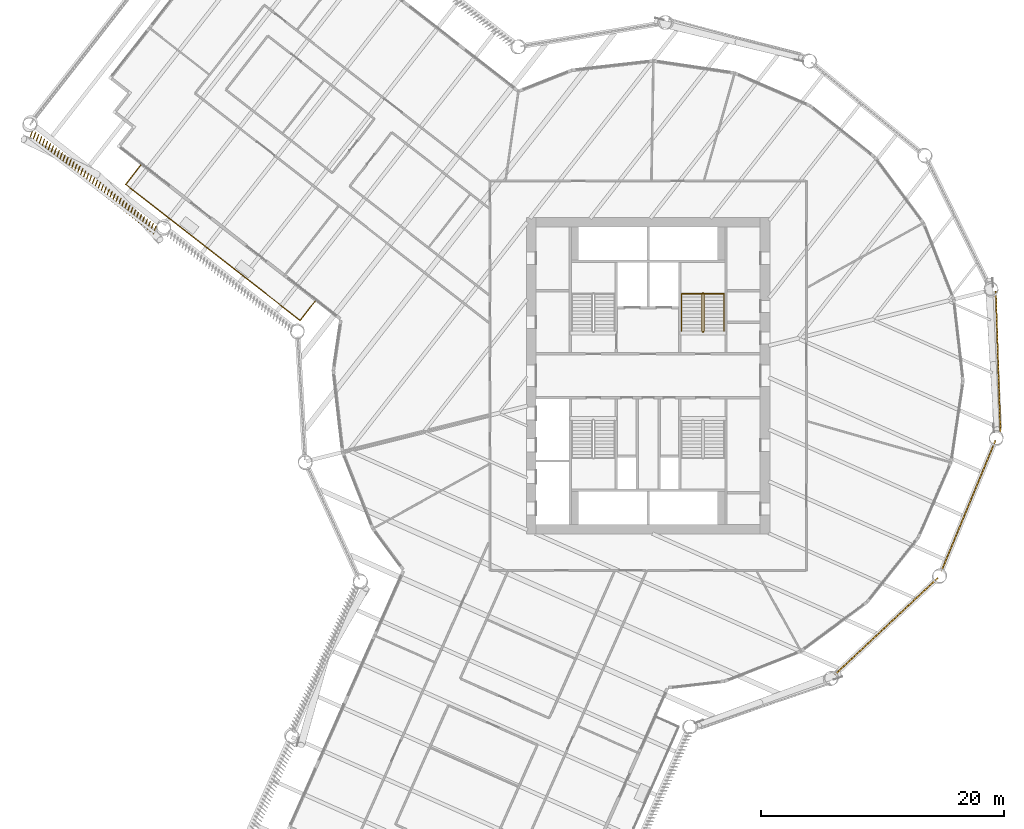
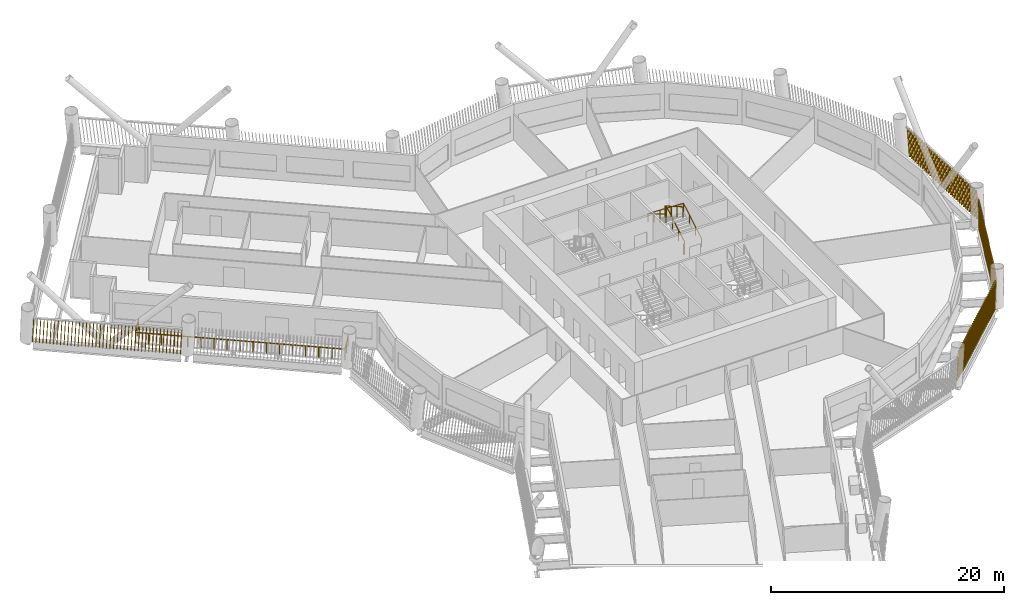
# One storey, part 19 of 22: 4 shading devices, 3 railings.
"""IFC4 building model written with IfcOpenShell, lengths in metres."""

from ifc_helpers import new_model, si_unit, direction, frame, frame_2d, origin, origin_2d, place, context, subcontext, project, spatial, rectangle, circle, composite_profile, extrude, material, type_object, element, save


model = new_model("IFC4")

# Units and contexts
model_context = context("Model", 3, precision=1e-05, world=origin(), true_north=direction((0.0, 1.0)))
body_context = subcontext(model_context, "Body", "Model", "MODEL_VIEW")
ifc_project = project(units=[si_unit("LENGTHUNIT", "METRE"), si_unit("AREAUNIT", "SQUARE_METRE"), si_unit("VOLUMEUNIT", "CUBIC_METRE"), si_unit("PLANEANGLEUNIT", "RADIAN"), si_unit("MASSUNIT", "GRAM", prefix="KILO")], contexts=[model_context])

# Site, building, storey
site_placement = place(None, origin())
site = spatial("IfcSite", under=ifc_project, at=site_placement, CompositionType="ELEMENT")
building_placement = place(site_placement, origin())
building = spatial("IfcBuilding", under=site, at=building_placement, Name="Tarsis Ring Headquarters", CompositionType="ELEMENT")
storey_placement = place(building_placement, frame((0.0, 0.0, 116.199951171875)))
storey = spatial("IfcBuildingStorey", under=building, at=storey_placement, Name="L26", CompositionType="ELEMENT", Elevation=116.199951171875)

# Railings
ifc_material_1 = material(Name="Stainless steel guard", Category="steel")
railing_type_1 = type_object("IfcRailingType", Name="Balcony balustrade with mesh infill 1100", PredefinedType="BALUSTRADE", material=ifc_material_1)
railing_1_placement = place(storey_placement, frame((-41.678466796875, 17.296142578125, 0.0)))
element("IfcRailing", 1, at=railing_1_placement, inside=storey, type_object=railing_type_1, Name="Balcony balustrade L26-01", PredefinedType="BALUSTRADE", context=body_context, shape_type="SweptSolid", body=[
    extrude(circle(Radius=0.030029296875, at=origin_2d()), frame((0.0, 0.0, 1.070068359375), z_axis=(-0.6151061728, -0.788444288573, 0.0), x_axis=(0.788444288573, -0.6151061728, 0.0)), (0.0, 0.0, 1.0), 2.0),
    extrude(circle(Radius=0.030029296875, at=origin_2d()), frame((-1.230224609375, -1.576904296875, 1.070068359375), z_axis=(0.788432586668, -0.61512117203, 0.0), x_axis=(0.61512117203, 0.788432586668, 0.0)), (0.0, 0.0, 1.0), 18.171875),
    extrude(circle(Radius=0.030029296875, at=origin_2d()), frame((13.09716796875, -12.7548828125, 1.070068359375), z_axis=(0.6151061728, 0.788444288573, 0.0), x_axis=(-0.788444288573, 0.6151061728, 0.0)), (0.0, 0.0, 1.0), 2.0),
    extrude(circle(Radius=0.02490234375, at=origin_2d()), origin(), (0.0, 0.0, 1.0), 1.0400390625),
    extrude(circle(Radius=0.02490234375, at=origin_2d()), frame((-0.615234375, -0.78857421875, 0.0)), (0.0, 0.0, 1.0), 1.0400390625),
    extrude(circle(Radius=0.02490234375, at=origin_2d()), frame((-1.230224609375, -1.576904296875, 0.0)), (0.0, 0.0, 1.0), 1.0400390625),
    extrude(circle(Radius=0.02490234375, at=origin_2d()), frame((-0.334716796875, -2.275634765625, 0.0)), (0.0, 0.0, 1.0), 1.0400390625),
    extrude(circle(Radius=0.02490234375, at=origin_2d()), frame((0.560791015625, -2.97412109375, 0.0)), (0.0, 0.0, 1.0), 1.0400390625),
    extrude(circle(Radius=0.02490234375, at=origin_2d()), frame((1.4560546875, -3.6728515625, 0.0)), (0.0, 0.0, 1.0), 1.0400390625),
    extrude(circle(Radius=0.02490234375, at=origin_2d()), frame((2.3515625, -4.371337890625, 0.0)), (0.0, 0.0, 1.0), 1.0400390625),
    extrude(circle(Radius=0.02490234375, at=origin_2d()), frame((3.2470703125, -5.070068359375, 0.0)), (0.0, 0.0, 1.0), 1.0400390625),
    extrude(circle(Radius=0.02490234375, at=origin_2d()), frame((4.142578125, -5.7685546875, 0.0)), (0.0, 0.0, 1.0), 1.0400390625),
    extrude(circle(Radius=0.02490234375, at=origin_2d()), frame((5.0380859375, -6.46728515625, 0.0)), (0.0, 0.0, 1.0), 1.0400390625),
    extrude(circle(Radius=0.02490234375, at=origin_2d()), frame((5.93359375, -7.166015625, 0.0)), (0.0, 0.0, 1.0), 1.0400390625),
    extrude(circle(Radius=0.02490234375, at=origin_2d()), frame((6.828857421875, -7.864501953125, 0.0)), (0.0, 0.0, 1.0), 1.0400390625),
    extrude(circle(Radius=0.02490234375, at=origin_2d()), frame((7.724365234375, -8.563232421875, 0.0)), (0.0, 0.0, 1.0), 1.0400390625),
    extrude(circle(Radius=0.02490234375, at=origin_2d()), frame((8.619873046875, -9.26171875, 0.0)), (0.0, 0.0, 1.0), 1.0400390625),
    extrude(circle(Radius=0.02490234375, at=origin_2d()), frame((9.515380859375, -9.96044921875, 0.0)), (0.0, 0.0, 1.0), 1.0400390625),
    extrude(circle(Radius=0.02490234375, at=origin_2d()), frame((10.410888671875, -10.658935546875, 0.0)), (0.0, 0.0, 1.0), 1.0400390625),
    extrude(circle(Radius=0.02490234375, at=origin_2d()), frame((11.30615234375, -11.357666015625, 0.0)), (0.0, 0.0, 1.0), 1.0400390625),
    extrude(circle(Radius=0.02490234375, at=origin_2d()), frame((12.20166015625, -12.05615234375, 0.0)), (0.0, 0.0, 1.0), 1.0400390625),
    extrude(circle(Radius=0.02490234375, at=origin_2d()), frame((13.09716796875, -12.7548828125, 0.0)), (0.0, 0.0, 1.0), 1.0400390625),
    extrude(circle(Radius=0.02490234375, at=origin_2d()), frame((13.71240234375, -11.96630859375, 0.0)), (0.0, 0.0, 1.0), 1.0400390625),
    extrude(circle(Radius=0.02490234375, at=origin_2d()), frame((14.327392578125, -11.177978515625, 0.0)), (0.0, 0.0, 1.0), 1.0400390625),
])
ifc_material_2 = material(Name="Steel S355", Category="steel")
railing_type_2 = type_object("IfcRailingType", Name="Core stair guard 1100", PredefinedType="GUARDRAIL", material=ifc_material_2)
railing_2_placement = place(storey_placement, frame((4.4599609375, 3.610107421875, 0.0)))
element("IfcRailing", 2, at=railing_2_placement, inside=storey, type_object=railing_type_2, Name="L26 ST2 stair guard 1", PredefinedType="GUARDRAIL", context=body_context, shape_type="SweptSolid", body=[
    extrude(circle(Radius=0.02392578125, at=origin_2d()), frame((0.0, 0.0, 1.076171875), z_axis=(1.0, 0.0, 0.0), x_axis=(0.0, 1.0, 0.0)), (0.0, 0.0, 1.0), 0.080078125),
    extrude(circle(Radius=0.02392578125, at=origin_2d()), frame((0.080078125, 0.0, 1.076171875), z_axis=(0.282336740067, 0.280959487676, 0.917250092119), x_axis=(-0.705375805398, 0.708833529934, 0.0)), (0.0, 0.0, 1.0), 0.17724609375),
    extrude(circle(Radius=0.02392578125, at=origin_2d()), frame((0.130126953125, 0.0498046875, 1.23876953125), z_axis=(0.0, 0.864920483161, 0.501908913857), x_axis=(-1.0, 0.0, 0.0)), (0.0, 0.0, 1.0), 3.56103515625),
    extrude(circle(Radius=0.02392578125, at=origin_2d()), frame((0.130126953125, 3.1298828125, 3.02587890625), z_axis=(-0.707106781187, 0.707106781187, 0.0), x_axis=(-0.707106781187, -0.707106781187, 0.0)), (0.0, 0.0, 1.0), 0.07080078125),
    extrude(circle(Radius=0.02392578125, at=origin_2d()), frame((0.080078125, 3.179931640625, 3.02587890625), z_axis=(-1.0, 0.0, 0.0), x_axis=(0.0, -1.0, 0.0)), (0.0, 0.0, 1.0), 0.080078125),
    extrude(circle(Radius=0.02392578125, at=origin_2d()), frame((0.0, 3.179931640625, 3.02587890625), z_axis=(-0.282227285176, -0.282227285176, 0.916894497205), x_axis=(0.707106781187, -0.707106781187, 0.0)), (0.0, 0.0, 1.0), 0.17724609375),
    extrude(circle(Radius=0.02392578125, at=origin_2d()), frame((-0.050048828125, 3.1298828125, 3.1884765625), z_axis=(0.0, -0.864890721111, 0.501960198159), x_axis=(1.0, 0.0, 0.0)), (0.0, 0.0, 1.0), 3.561279296875),
    extrude(circle(Radius=0.02099609375, at=origin_2d()), origin(), (0.0, 0.0, 1.0), 1.052001953125),
    extrude(circle(Radius=0.02099609375, at=origin_2d()), frame((0.080078125, 0.0, 0.0)), (0.0, 0.0, 1.0), 1.052001953125),
    extrude(circle(Radius=0.02099609375, at=origin_2d()), frame((0.130126953125, 0.0498046875, 0.16259765625)), (0.0, 0.0, 1.0), 1.052001953125),
    extrude(circle(Radius=0.02099609375, at=origin_2d()), frame((0.130126953125, 1.076416015625, 0.75830078125)), (0.0, 0.0, 1.0), 1.052001953125),
    extrude(circle(Radius=0.02099609375, at=origin_2d()), frame((0.130126953125, 2.103271484375, 1.354248046875)), (0.0, 0.0, 1.0), 1.052001953125),
    extrude(circle(Radius=0.02099609375, at=origin_2d()), frame((0.130126953125, 3.1298828125, 1.949951171875)), (0.0, 0.0, 1.0), 1.052001953125),
    extrude(circle(Radius=0.02099609375, at=origin_2d()), frame((0.080078125, 3.179931640625, 1.949951171875)), (0.0, 0.0, 1.0), 1.052001953125),
    extrude(circle(Radius=0.02099609375, at=origin_2d()), frame((0.0, 3.179931640625, 1.949951171875)), (0.0, 0.0, 1.0), 1.052001953125),
    extrude(circle(Radius=0.02099609375, at=origin_2d()), frame((-0.050048828125, 3.1298828125, 2.112548828125)), (0.0, 0.0, 1.0), 1.052001953125),
    extrude(circle(Radius=0.02099609375, at=origin_2d()), frame((-0.050048828125, 2.103271484375, 2.70849609375)), (0.0, 0.0, 1.0), 1.052001953125),
    extrude(circle(Radius=0.02099609375, at=origin_2d()), frame((-0.050048828125, 1.076416015625, 3.30419921875)), (0.0, 0.0, 1.0), 1.052001953125),
    extrude(circle(Radius=0.02099609375, at=origin_2d()), frame((-0.050048828125, 0.0498046875, 3.900146484375)), (0.0, 0.0, 1.0), 1.052001953125),
])
railing_type_3 = type_object("IfcRailingType", Name="Core stair handrail 900", PredefinedType="HANDRAIL", material=ifc_material_2)
railing_3_placement = place(storey_placement, frame((6.25, 3.659912109375, 0.16259765625)))
element("IfcRailing", 3, at=railing_3_placement, inside=storey, type_object=railing_type_3, Name="L26 ST2 stair handrail 1", PredefinedType="HANDRAIL", context=body_context, shape_type="SweptSolid", body=[
    extrude(circle(Radius=0.02392578125, at=origin_2d()), frame((0.0, 0.0, 0.8759765625), z_axis=(0.0, 0.864920483161, 0.501908913857), x_axis=(-1.0, 0.0, 0.0)), (0.0, 0.0, 1.0), 3.56103515625),
    extrude(circle(Radius=0.02392578125, at=origin_2d()), frame((0.0, 3.080078125, 2.6630859375), z_axis=(-0.998922641604, 0.0, 0.046406422943), x_axis=(0.0, -1.0, 0.0)), (0.0, 0.0, 1.0), 3.503662109375),
    extrude(circle(Radius=0.02392578125, at=origin_2d()), frame((-3.5, 3.080078125, 2.82568359375), z_axis=(0.0, -0.864890721111, 0.501960198159), x_axis=(1.0, 0.0, 0.0)), (0.0, 0.0, 1.0), 3.561279296875),
    extrude(circle(Radius=0.02099609375, at=origin_2d()), origin(), (0.0, 0.0, 1.0), 0.851806640625),
    extrude(circle(Radius=0.02099609375, at=origin_2d()), frame((0.0, 1.026611328125, 0.595703125)), (0.0, 0.0, 1.0), 0.851806640625),
    extrude(circle(Radius=0.02099609375, at=origin_2d()), frame((0.0, 2.053466796875, 1.191650390625)), (0.0, 0.0, 1.0), 0.851806640625),
    extrude(circle(Radius=0.02099609375, at=origin_2d()), frame((0.0, 3.080078125, 1.787353515625)), (0.0, 0.0, 1.0), 0.851806640625),
    extrude(circle(Radius=0.02099609375, at=origin_2d()), frame((-1.166748046875, 3.080078125, 1.841552734375)), (0.0, 0.0, 1.0), 0.851806640625),
    extrude(circle(Radius=0.02099609375, at=origin_2d()), frame((-2.333251953125, 3.080078125, 1.895751953125)), (0.0, 0.0, 1.0), 0.851806640625),
    extrude(circle(Radius=0.02099609375, at=origin_2d()), frame((-3.5, 3.080078125, 1.949951171875)), (0.0, 0.0, 1.0), 0.851806640625),
    extrude(circle(Radius=0.02099609375, at=origin_2d()), frame((-3.5, 2.053466796875, 2.5458984375)), (0.0, 0.0, 1.0), 0.851806640625),
    extrude(circle(Radius=0.02099609375, at=origin_2d()), frame((-3.5, 1.026611328125, 3.1416015625)), (0.0, 0.0, 1.0), 0.851806640625),
    extrude(circle(Radius=0.02099609375, at=origin_2d()), frame((-3.5, 0.0, 3.737548828125)), (0.0, 0.0, 1.0), 0.851806640625),
])

# Shading devices
ifc_material_3 = material(Name="Terracotta baguette", Category="masonry")
shading_device_type = type_object("IfcShadingDeviceType", Name="Terracotta baguette screen", PredefinedType="USERDEFINED", material=ifc_material_3)
shading_device_1_placement = place(storey_placement, frame((15.3310546875, -24.553955078125, 0.0), z_axis=(0.0, 0.0, 1.0), x_axis=(0.729164858061, 0.684325896345, 0.0)))
element("IfcShadingDevice", 4, at=shading_device_1_placement, inside=storey, type_object=shading_device_type, Name="Baguette screen L26-08", ObjectType="Terracotta baguette screen", PredefinedType="USERDEFINED", context=body_context, shape_type="SweptSolid", body=[
    extrude(composite_profile([rectangle(XDim=0.06005859375, YDim=0.1201171875, at=frame_2d((0.030029296875, 0.0))), rectangle(XDim=0.06005859375, YDim=0.1201171875, at=frame_2d((0.33251953125, 0.0))), rectangle(XDim=0.06005859375, YDim=0.1201171875, at=frame_2d((0.634765625, 0.0))), rectangle(XDim=0.06005859375, YDim=0.1201171875, at=frame_2d((0.937255859375, 0.0))), rectangle(XDim=0.06005859375, YDim=0.1201171875, at=frame_2d((1.239501953125, 0.0))), rectangle(XDim=0.06005859375, YDim=0.1201171875, at=frame_2d((1.5419921875, 0.0))), rectangle(XDim=0.06005859375, YDim=0.1201171875, at=frame_2d((1.844482421875, 0.0))), rectangle(XDim=0.06005859375, YDim=0.1201171875, at=frame_2d((2.146728515625, 0.0))), rectangle(XDim=0.06005859375, YDim=0.1201171875, at=frame_2d((2.44921875, 0.0))), rectangle(XDim=0.06005859375, YDim=0.1201171875, at=frame_2d((2.751708984375, 0.0))), rectangle(XDim=0.06005859375, YDim=0.1201171875, at=frame_2d((3.053955078125, 0.0))), rectangle(XDim=0.06005859375, YDim=0.1201171875, at=frame_2d((3.3564453125, 0.0))), rectangle(XDim=0.06005859375, YDim=0.1201171875, at=frame_2d((3.65869140625, 0.0))), rectangle(XDim=0.06005859375, YDim=0.1201171875, at=frame_2d((3.961181640625, 0.0))), rectangle(XDim=0.06005859375, YDim=0.1201171875, at=frame_2d((4.263671875, 0.0))), rectangle(XDim=0.06005859375, YDim=0.1201171875, at=frame_2d((4.56591796875, 0.0))), rectangle(XDim=0.06005859375, YDim=0.1201171875, at=frame_2d((4.868408203125, 0.0))), rectangle(XDim=0.06005859375, YDim=0.1201171875, at=frame_2d((5.1708984375, 0.0))), rectangle(XDim=0.06005859375, YDim=0.1201171875, at=frame_2d((5.47314453125, 0.0))), rectangle(XDim=0.06005859375, YDim=0.1201171875, at=frame_2d((5.775634765625, 0.0))), rectangle(XDim=0.06005859375, YDim=0.1201171875, at=frame_2d((6.077880859375, 0.0))), rectangle(XDim=0.06005859375, YDim=0.1201171875, at=frame_2d((6.38037109375, 0.0))), rectangle(XDim=0.06005859375, YDim=0.1201171875, at=frame_2d((6.682861328125, 0.0))), rectangle(XDim=0.06005859375, YDim=0.1201171875, at=frame_2d((6.985107421875, 0.0))), rectangle(XDim=0.06005859375, YDim=0.1201171875, at=frame_2d((7.28759765625, 0.0))), rectangle(XDim=0.06005859375, YDim=0.1201171875, at=frame_2d((7.590087890625, 0.0))), rectangle(XDim=0.06005859375, YDim=0.1201171875, at=frame_2d((7.892333984375, 0.0))), rectangle(XDim=0.06005859375, YDim=0.1201171875, at=frame_2d((8.19482421875, 0.0))), rectangle(XDim=0.06005859375, YDim=0.1201171875, at=frame_2d((8.4970703125, 0.0))), rectangle(XDim=0.06005859375, YDim=0.1201171875, at=frame_2d((8.799560546875, 0.0))), rectangle(XDim=0.06005859375, YDim=0.1201171875, at=frame_2d((9.10205078125, 0.0))), rectangle(XDim=0.06005859375, YDim=0.1201171875, at=frame_2d((9.404296875, 0.0))), rectangle(XDim=0.06005859375, YDim=0.1201171875, at=frame_2d((9.706787109375, 0.0))), rectangle(XDim=0.06005859375, YDim=0.1201171875, at=frame_2d((10.00927734375, 0.0))), rectangle(XDim=0.06005859375, YDim=0.1201171875, at=frame_2d((10.3115234375, 0.0))), rectangle(XDim=0.06005859375, YDim=0.1201171875, at=frame_2d((10.614013671875, 0.0))), rectangle(XDim=0.06005859375, YDim=0.1201171875, at=frame_2d((10.916259765625, 0.0))), rectangle(XDim=0.06005859375, YDim=0.1201171875, at=frame_2d((11.21875, 0.0)))]), origin(), (0.129809101489, 0.000885387941, 0.991538609061), 2.977783203125),
])
shading_device_2_placement = place(storey_placement, frame((24.089111328125, -16.0517578125, 0.0), z_axis=(0.0, 0.0, 1.0), x_axis=(0.382268041237, 0.924058600109, 0.0)))
element("IfcShadingDevice", 5, at=shading_device_2_placement, inside=storey, type_object=shading_device_type, Name="Baguette screen L26-09", ObjectType="Terracotta baguette screen", PredefinedType="USERDEFINED", context=body_context, shape_type="SweptSolid", body=[
    extrude(composite_profile([rectangle(XDim=0.06005859375, YDim=0.1201171875, at=frame_2d((0.030029296875, 0.0))), rectangle(XDim=0.06005859375, YDim=0.1201171875, at=frame_2d((0.33251953125, 0.0))), rectangle(XDim=0.06005859375, YDim=0.1201171875, at=frame_2d((0.634765625, 0.0))), rectangle(XDim=0.06005859375, YDim=0.1201171875, at=frame_2d((0.937255859375, 0.0))), rectangle(XDim=0.06005859375, YDim=0.1201171875, at=frame_2d((1.239501953125, 0.0))), rectangle(XDim=0.06005859375, YDim=0.1201171875, at=frame_2d((1.5419921875, 0.0))), rectangle(XDim=0.06005859375, YDim=0.1201171875, at=frame_2d((1.844482421875, 0.0))), rectangle(XDim=0.06005859375, YDim=0.1201171875, at=frame_2d((2.146728515625, 0.0))), rectangle(XDim=0.06005859375, YDim=0.1201171875, at=frame_2d((2.44921875, 0.0))), rectangle(XDim=0.06005859375, YDim=0.1201171875, at=frame_2d((2.751708984375, 0.0))), rectangle(XDim=0.06005859375, YDim=0.1201171875, at=frame_2d((3.053955078125, 0.0))), rectangle(XDim=0.06005859375, YDim=0.1201171875, at=frame_2d((3.3564453125, 0.0))), rectangle(XDim=0.06005859375, YDim=0.1201171875, at=frame_2d((3.65869140625, 0.0))), rectangle(XDim=0.06005859375, YDim=0.1201171875, at=frame_2d((3.961181640625, 0.0))), rectangle(XDim=0.06005859375, YDim=0.1201171875, at=frame_2d((4.263671875, 0.0))), rectangle(XDim=0.06005859375, YDim=0.1201171875, at=frame_2d((4.56591796875, 0.0))), rectangle(XDim=0.06005859375, YDim=0.1201171875, at=frame_2d((4.868408203125, 0.0))), rectangle(XDim=0.06005859375, YDim=0.1201171875, at=frame_2d((5.1708984375, 0.0))), rectangle(XDim=0.06005859375, YDim=0.1201171875, at=frame_2d((5.47314453125, 0.0))), rectangle(XDim=0.06005859375, YDim=0.1201171875, at=frame_2d((5.775634765625, 0.0))), rectangle(XDim=0.06005859375, YDim=0.1201171875, at=frame_2d((6.077880859375, 0.0))), rectangle(XDim=0.06005859375, YDim=0.1201171875, at=frame_2d((6.38037109375, 0.0))), rectangle(XDim=0.06005859375, YDim=0.1201171875, at=frame_2d((6.682861328125, 0.0))), rectangle(XDim=0.06005859375, YDim=0.1201171875, at=frame_2d((6.985107421875, 0.0))), rectangle(XDim=0.06005859375, YDim=0.1201171875, at=frame_2d((7.28759765625, 0.0))), rectangle(XDim=0.06005859375, YDim=0.1201171875, at=frame_2d((7.590087890625, 0.0))), rectangle(XDim=0.06005859375, YDim=0.1201171875, at=frame_2d((7.892333984375, 0.0))), rectangle(XDim=0.06005859375, YDim=0.1201171875, at=frame_2d((8.19482421875, 0.0))), rectangle(XDim=0.06005859375, YDim=0.1201171875, at=frame_2d((8.4970703125, 0.0))), rectangle(XDim=0.06005859375, YDim=0.1201171875, at=frame_2d((8.799560546875, 0.0))), rectangle(XDim=0.06005859375, YDim=0.1201171875, at=frame_2d((9.10205078125, 0.0))), rectangle(XDim=0.06005859375, YDim=0.1201171875, at=frame_2d((9.404296875, 0.0))), rectangle(XDim=0.06005859375, YDim=0.1201171875, at=frame_2d((9.706787109375, 0.0))), rectangle(XDim=0.06005859375, YDim=0.1201171875, at=frame_2d((10.00927734375, 0.0))), rectangle(XDim=0.06005859375, YDim=0.1201171875, at=frame_2d((10.3115234375, 0.0))), rectangle(XDim=0.06005859375, YDim=0.1201171875, at=frame_2d((10.614013671875, 0.0))), rectangle(XDim=0.06005859375, YDim=0.1201171875, at=frame_2d((10.916259765625, 0.0))), rectangle(XDim=0.06005859375, YDim=0.1201171875, at=frame_2d((11.21875, 0.0)))]), origin(), (0.129810933495, 0.000884499402, 0.991538370012), 2.977783203125),
])
shading_device_3_placement = place(storey_placement, frame((28.938720703125, -4.68310546875, 0.0), z_axis=(0.0, 0.0, 1.0), x_axis=(-0.032620727075, 0.999457406403, 0.0)))
element("IfcShadingDevice", 6, at=shading_device_3_placement, inside=storey, type_object=shading_device_type, Name="Baguette screen L26-10", ObjectType="Terracotta baguette screen", PredefinedType="USERDEFINED", context=body_context, shape_type="SweptSolid", body=[
    extrude(composite_profile([rectangle(XDim=0.06005859375, YDim=0.1201171875, at=frame_2d((0.030029296875, 0.0))), rectangle(XDim=0.06005859375, YDim=0.1201171875, at=frame_2d((0.33251953125, 0.0))), rectangle(XDim=0.06005859375, YDim=0.1201171875, at=frame_2d((0.634765625, 0.0))), rectangle(XDim=0.06005859375, YDim=0.1201171875, at=frame_2d((0.937255859375, 0.0))), rectangle(XDim=0.06005859375, YDim=0.1201171875, at=frame_2d((1.239501953125, 0.0))), rectangle(XDim=0.06005859375, YDim=0.1201171875, at=frame_2d((1.5419921875, 0.0))), rectangle(XDim=0.06005859375, YDim=0.1201171875, at=frame_2d((1.844482421875, 0.0))), rectangle(XDim=0.06005859375, YDim=0.1201171875, at=frame_2d((2.146728515625, 0.0))), rectangle(XDim=0.06005859375, YDim=0.1201171875, at=frame_2d((2.44921875, 0.0))), rectangle(XDim=0.06005859375, YDim=0.1201171875, at=frame_2d((2.751708984375, 0.0))), rectangle(XDim=0.06005859375, YDim=0.1201171875, at=frame_2d((3.053955078125, 0.0))), rectangle(XDim=0.06005859375, YDim=0.1201171875, at=frame_2d((3.3564453125, 0.0))), rectangle(XDim=0.06005859375, YDim=0.1201171875, at=frame_2d((3.65869140625, 0.0))), rectangle(XDim=0.06005859375, YDim=0.1201171875, at=frame_2d((3.961181640625, 0.0))), rectangle(XDim=0.06005859375, YDim=0.1201171875, at=frame_2d((4.263671875, 0.0))), rectangle(XDim=0.06005859375, YDim=0.1201171875, at=frame_2d((4.56591796875, 0.0))), rectangle(XDim=0.06005859375, YDim=0.1201171875, at=frame_2d((4.868408203125, 0.0))), rectangle(XDim=0.06005859375, YDim=0.1201171875, at=frame_2d((5.1708984375, 0.0))), rectangle(XDim=0.06005859375, YDim=0.1201171875, at=frame_2d((5.47314453125, 0.0))), rectangle(XDim=0.06005859375, YDim=0.1201171875, at=frame_2d((5.775634765625, 0.0))), rectangle(XDim=0.06005859375, YDim=0.1201171875, at=frame_2d((6.077880859375, 0.0))), rectangle(XDim=0.06005859375, YDim=0.1201171875, at=frame_2d((6.38037109375, 0.0))), rectangle(XDim=0.06005859375, YDim=0.1201171875, at=frame_2d((6.682861328125, 0.0))), rectangle(XDim=0.06005859375, YDim=0.1201171875, at=frame_2d((6.985107421875, 0.0))), rectangle(XDim=0.06005859375, YDim=0.1201171875, at=frame_2d((7.28759765625, 0.0))), rectangle(XDim=0.06005859375, YDim=0.1201171875, at=frame_2d((7.590087890625, 0.0))), rectangle(XDim=0.06005859375, YDim=0.1201171875, at=frame_2d((7.892333984375, 0.0))), rectangle(XDim=0.06005859375, YDim=0.1201171875, at=frame_2d((8.19482421875, 0.0))), rectangle(XDim=0.06005859375, YDim=0.1201171875, at=frame_2d((8.4970703125, 0.0))), rectangle(XDim=0.06005859375, YDim=0.1201171875, at=frame_2d((8.799560546875, 0.0))), rectangle(XDim=0.06005859375, YDim=0.1201171875, at=frame_2d((9.10205078125, 0.0))), rectangle(XDim=0.06005859375, YDim=0.1201171875, at=frame_2d((9.404296875, 0.0))), rectangle(XDim=0.06005859375, YDim=0.1201171875, at=frame_2d((9.706787109375, 0.0))), rectangle(XDim=0.06005859375, YDim=0.1201171875, at=frame_2d((10.00927734375, 0.0))), rectangle(XDim=0.06005859375, YDim=0.1201171875, at=frame_2d((10.3115234375, 0.0))), rectangle(XDim=0.06005859375, YDim=0.1201171875, at=frame_2d((10.614013671875, 0.0))), rectangle(XDim=0.06005859375, YDim=0.1201171875, at=frame_2d((10.916259765625, 0.0))), rectangle(XDim=0.06005859375, YDim=0.1201171875, at=frame_2d((11.21875, 0.0)))]), origin(), (0.131493755607, 0.000893429143, 0.99131659626), 2.978515625),
])
shading_device_4_placement = place(storey_placement, frame((-50.56982421875, 20.205810546875, 0.0), z_axis=(0.0, 0.0, 1.0), x_axis=(0.788445890968, -0.615115332942, 0.0)))
element("IfcShadingDevice", 7, at=shading_device_4_placement, inside=storey, type_object=shading_device_type, Name="Baguette screen L26-19", ObjectType="Terracotta baguette screen", PredefinedType="USERDEFINED", context=body_context, shape_type="SweptSolid", body=[
    extrude(composite_profile([rectangle(XDim=0.06005859375, YDim=0.1201171875, at=frame_2d((0.030029296875, 0.0))), rectangle(XDim=0.06005859375, YDim=0.1201171875, at=frame_2d((0.335693359375, 0.0))), rectangle(XDim=0.06005859375, YDim=0.1201171875, at=frame_2d((0.6416015625, 0.0))), rectangle(XDim=0.06005859375, YDim=0.1201171875, at=frame_2d((0.947265625, 0.0))), rectangle(XDim=0.06005859375, YDim=0.1201171875, at=frame_2d((1.253173828125, 0.0))), rectangle(XDim=0.06005859375, YDim=0.1201171875, at=frame_2d((1.558837890625, 0.0))), rectangle(XDim=0.06005859375, YDim=0.1201171875, at=frame_2d((1.864501953125, 0.0))), rectangle(XDim=0.06005859375, YDim=0.1201171875, at=frame_2d((2.17041015625, 0.0))), rectangle(XDim=0.06005859375, YDim=0.1201171875, at=frame_2d((2.47607421875, 0.0))), rectangle(XDim=0.06005859375, YDim=0.1201171875, at=frame_2d((2.781982421875, 0.0))), rectangle(XDim=0.06005859375, YDim=0.1201171875, at=frame_2d((3.087646484375, 0.0))), rectangle(XDim=0.06005859375, YDim=0.1201171875, at=frame_2d((3.393310546875, 0.0))), rectangle(XDim=0.06005859375, YDim=0.1201171875, at=frame_2d((3.69921875, 0.0))), rectangle(XDim=0.06005859375, YDim=0.1201171875, at=frame_2d((4.0048828125, 0.0))), rectangle(XDim=0.06005859375, YDim=0.1201171875, at=frame_2d((4.310791015625, 0.0))), rectangle(XDim=0.06005859375, YDim=0.1201171875, at=frame_2d((4.616455078125, 0.0))), rectangle(XDim=0.06005859375, YDim=0.1201171875, at=frame_2d((4.922119140625, 0.0))), rectangle(XDim=0.06005859375, YDim=0.1201171875, at=frame_2d((5.22802734375, 0.0))), rectangle(XDim=0.06005859375, YDim=0.1201171875, at=frame_2d((5.53369140625, 0.0))), rectangle(XDim=0.06005859375, YDim=0.1201171875, at=frame_2d((5.839599609375, 0.0))), rectangle(XDim=0.06005859375, YDim=0.1201171875, at=frame_2d((6.145263671875, 0.0))), rectangle(XDim=0.06005859375, YDim=0.1201171875, at=frame_2d((6.451171875, 0.0))), rectangle(XDim=0.06005859375, YDim=0.1201171875, at=frame_2d((6.7568359375, 0.0))), rectangle(XDim=0.06005859375, YDim=0.1201171875, at=frame_2d((7.0625, 0.0))), rectangle(XDim=0.06005859375, YDim=0.1201171875, at=frame_2d((7.368408203125, 0.0))), rectangle(XDim=0.06005859375, YDim=0.1201171875, at=frame_2d((7.674072265625, 0.0))), rectangle(XDim=0.06005859375, YDim=0.1201171875, at=frame_2d((7.97998046875, 0.0))), rectangle(XDim=0.06005859375, YDim=0.1201171875, at=frame_2d((8.28564453125, 0.0))), rectangle(XDim=0.06005859375, YDim=0.1201171875, at=frame_2d((8.59130859375, 0.0))), rectangle(XDim=0.06005859375, YDim=0.1201171875, at=frame_2d((8.897216796875, 0.0))), rectangle(XDim=0.06005859375, YDim=0.1201171875, at=frame_2d((9.202880859375, 0.0))), rectangle(XDim=0.06005859375, YDim=0.1201171875, at=frame_2d((9.5087890625, 0.0))), rectangle(XDim=0.06005859375, YDim=0.1201171875, at=frame_2d((9.814453125, 0.0))), rectangle(XDim=0.06005859375, YDim=0.1201171875, at=frame_2d((10.1201171875, 0.0))), rectangle(XDim=0.06005859375, YDim=0.1201171875, at=frame_2d((10.426025390625, 0.0))), rectangle(XDim=0.06005859375, YDim=0.1201171875, at=frame_2d((10.731689453125, 0.0))), rectangle(XDim=0.06005859375, YDim=0.1201171875, at=frame_2d((11.03759765625, 0.0))), rectangle(XDim=0.06005859375, YDim=0.1201171875, at=frame_2d((11.34326171875, 0.0))), rectangle(XDim=0.06005859375, YDim=0.1201171875, at=frame_2d((11.64892578125, 0.0))), rectangle(XDim=0.06005859375, YDim=0.1201171875, at=frame_2d((11.954833984375, 0.0))), rectangle(XDim=0.06005859375, YDim=0.1201171875, at=frame_2d((12.260498046875, 0.0))), rectangle(XDim=0.06005859375, YDim=0.1201171875, at=frame_2d((12.56640625, 0.0))), rectangle(XDim=0.06005859375, YDim=0.1201171875, at=frame_2d((12.8720703125, 0.0)))]), origin(), (0.069696752392, -0.205869720707, 0.976094268399), 3.02490234375),
])

save(model, "model.ifc")
